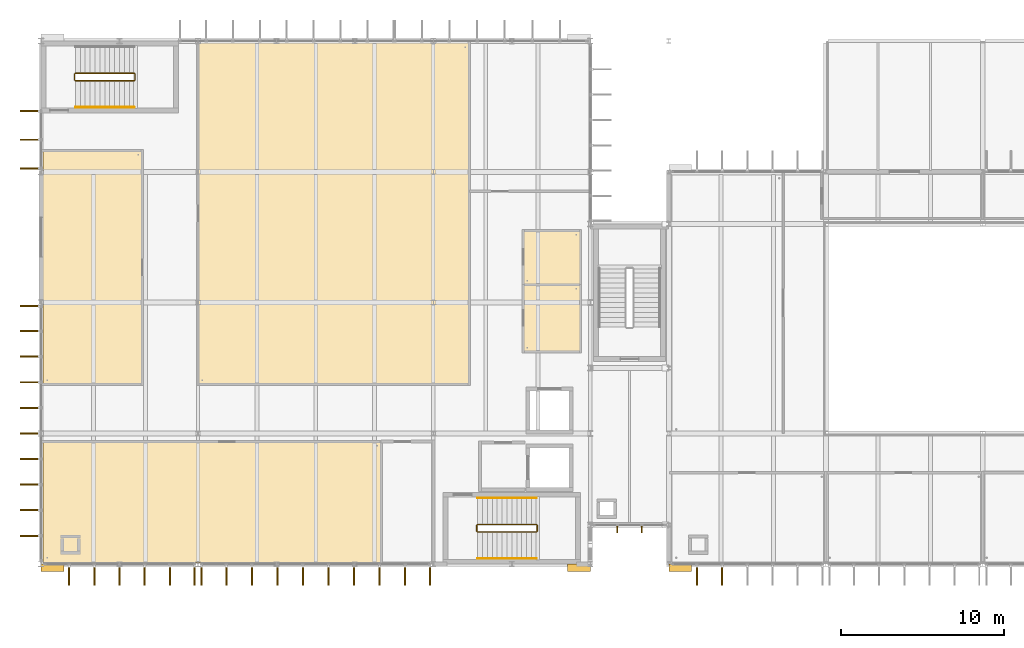
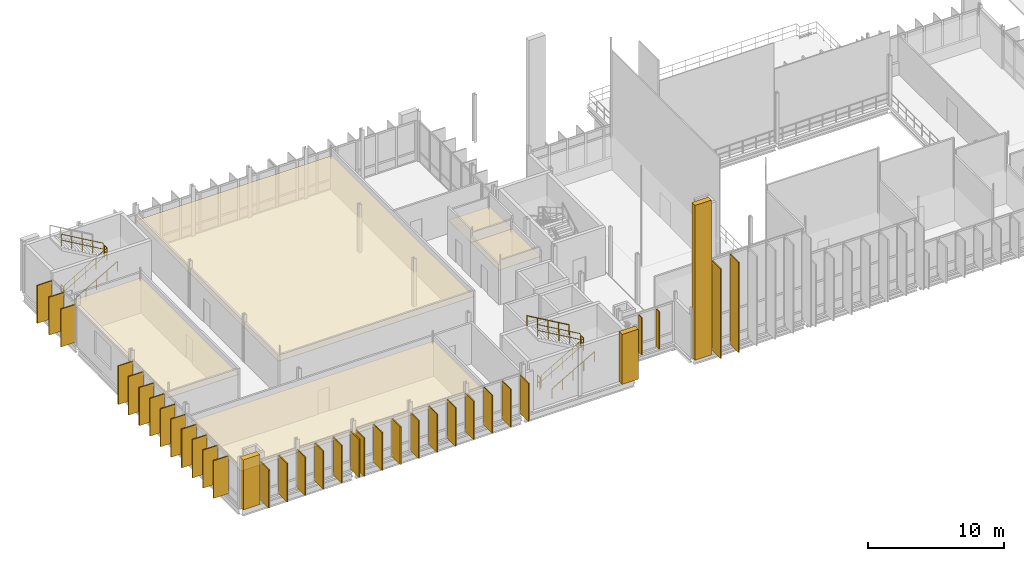
# One storey, part 38 of 41: 39 coverings, 11 railings, 2 shading devices.
"""IFC4 building model written with IfcOpenShell, lengths in metres."""

from ifc_helpers import new_model, si_unit, direction, frame, origin, origin_2d, place, context, subcontext, project, spatial, polyline, rectangle, circle, outline, extrude, material, layer, layer_set, type_object, element, save


model = new_model("IFC4")

# Units and contexts
model_context = context("Model", 3, precision=1e-05, world=origin(), true_north=direction((0.0, 1.0)))
body_context = subcontext(model_context, "Body", "Model", "MODEL_VIEW")
ifc_project = project(units=[si_unit("LENGTHUNIT", "METRE"), si_unit("AREAUNIT", "SQUARE_METRE"), si_unit("VOLUMEUNIT", "CUBIC_METRE"), si_unit("PLANEANGLEUNIT", "RADIAN"), si_unit("MASSUNIT", "GRAM", prefix="KILO")], contexts=[model_context])

# Site, building, storey
site_placement = place(None, origin())
site = spatial("IfcSite", under=ifc_project, at=site_placement, CompositionType="ELEMENT")
building_placement = place(site_placement, origin())
building = spatial("IfcBuilding", under=site, at=building_placement, Name="Dunescarp Central Library", CompositionType="ELEMENT")
storey_placement = place(building_placement, frame((0.0, 0.0, 23.10009765625)))
storey = spatial("IfcBuildingStorey", under=building, at=storey_placement, Name="L05", CompositionType="ELEMENT", Elevation=23.10009765625)

# Coverings
ifc_material_1 = material(Name="Perforated birch acoustic timber baffle", Category="wood")
ifc_layer_1 = layer(ifc_material_1, 0.050048828125)
ifc_layer_set_1 = layer_set([ifc_layer_1], Name="Perforated birch acoustic timber baffle")
covering_type_1 = type_object("IfcCoveringType", Name="ARC-COV-BAFFLE", PredefinedType="CEILING", material=ifc_layer_set_1)
covering_1_placement = place(storey_placement, frame((0.0, 0.0, 3.0498046875)))
element("IfcCovering", 1, at=covering_1_placement, inside=storey, type_object=covering_type_1, Name="L05 ceiling Postgraduate Quiet Reading Room", PredefinedType="CEILING", context=body_context, shape_type="SweptSolid", body=[
    extrude(outline(polyline([(0.1201171875, 4.919921875), (20.820068359375, 4.919921875), (20.820068359375, 12.320068359375), (0.1201171875, 12.320068359375), (0.1201171875, 4.919921875)])), origin(), (0.0, 0.0, 1.0), 0.050048828125),
])
ifc_material_2 = material(Name="Mineral-fibre acoustic ceiling tile")
ifc_layer_2 = layer(ifc_material_2, 0.0400390625)
ifc_layer_set_2 = layer_set([ifc_layer_2], Name="Mineral-fibre acoustic ceiling tile")
covering_type_2 = type_object("IfcCoveringType", Name="ARC-COV-CEIL40", PredefinedType="CEILING", material=ifc_layer_set_2)
covering_2_placement = place(storey_placement, frame((0.0, 0.0, 3.0498046875)))
element("IfcCovering", 2, at=covering_2_placement, inside=storey, type_object=covering_type_2, Name="L05 ceiling Public Toilets", PredefinedType="CEILING", context=body_context, shape_type="SweptSolid", body=[
    extrude(outline(polyline([(29.47998046875, 17.780029296875), (33.02001953125, 17.780029296875), (33.02001953125, 21.919921875), (29.47998046875, 21.919921875), (29.47998046875, 17.780029296875)])), origin(), (0.0, 0.0, 1.0), 0.0400390625),
])
covering_3_placement = place(storey_placement, frame((0.0, 0.0, 3.0498046875)))
element("IfcCovering", 3, at=covering_3_placement, inside=storey, type_object=covering_type_2, Name="L05 ceiling Accessible Toilet", PredefinedType="CEILING", context=body_context, shape_type="SweptSolid", body=[
    extrude(outline(polyline([(29.47998046875, 21.8798828125), (33.02001953125, 21.8798828125), (33.02001953125, 25.219970703125), (29.47998046875, 25.219970703125), (29.47998046875, 21.8798828125)])), origin(), (0.0, 0.0, 1.0), 0.0400390625),
])
covering_4_placement = place(storey_placement, frame((0.0, 0.0, 3.0498046875)))
element("IfcCovering", 4, at=covering_4_placement, inside=storey, type_object=covering_type_2, Name="L05 ceiling Special Collections Seminar", PredefinedType="CEILING", context=body_context, shape_type="SweptSolid", body=[
    extrude(outline(polyline([(0.1201171875, 15.780029296875), (6.219970703125, 15.780029296875), (6.219970703125, 30.1201171875), (0.1201171875, 30.1201171875), (0.1201171875, 15.780029296875)])), origin(), (0.0, 0.0, 1.0), 0.0400390625),
])
covering_5_placement = place(storey_placement, frame((0.0, 0.0, 3.0498046875)))
element("IfcCovering", 5, at=covering_5_placement, inside=storey, type_object=covering_type_2, Name="L05 ceiling Senior Librarian Administration", PredefinedType="CEILING", context=body_context, shape_type="SweptSolid", body=[
    extrude(outline(polyline([(9.580078125, 15.780029296875), (26.219970703125, 15.780029296875), (26.219970703125, 36.679931640625), (9.580078125, 36.679931640625), (9.580078125, 15.780029296875)])), origin(), (0.0, 0.0, 1.0), 0.0400390625),
])
ifc_material_3 = material(Name="Glass-fibre reinforced concrete GRC", Category="concrete")
ifc_layer_3 = layer(ifc_material_3, 0.090087890625)
ifc_layer_set_3 = layer_set([ifc_layer_3], Name="Glass-fibre reinforced concrete GRC")
covering_type_3 = type_object("IfcCoveringType", Name="ARC-COV-FIN1250", PredefinedType="CLADDING", material=ifc_layer_set_3)
covering_6_placement = place(storey_placement, frame((9.385009765625, 4.137939453125, 0.1669921875), z_axis=(0.0, 0.0, 1.0), x_axis=(0.0, -1.0, 0.0)))
element("IfcCovering", 6, at=covering_6_placement, inside=storey, type_object=covering_type_3, Name="L05 parametric vertical facade fin FIN-L05-0215", PredefinedType="CLADDING", context=body_context, shape_type="SweptSolid", body=[
    extrude(rectangle(XDim=1.25, YDim=0.090087890625, at=origin_2d()), origin(), (0.0, 0.0, 1.0), 3.406005859375),
])
covering_7_placement = place(storey_placement, frame((7.883056640625, 4.137939453125, 0.180419921875), z_axis=(0.0, 0.0, 1.0), x_axis=(0.0, -1.0, 0.0)))
element("IfcCovering", 7, at=covering_7_placement, inside=storey, type_object=covering_type_3, Name="L05 parametric vertical facade fin FIN-L05-0216", PredefinedType="CLADDING", context=body_context, shape_type="SweptSolid", body=[
    extrude(rectangle(XDim=1.25, YDim=0.090087890625, at=origin_2d()), origin(), (0.0, 0.0, 1.0), 3.39306640625),
])
covering_8_placement = place(storey_placement, frame((6.342041015625, 4.137939453125, 0.16357421875), z_axis=(0.0, 0.0, 1.0), x_axis=(0.0, -1.0, 0.0)))
element("IfcCovering", 8, at=covering_8_placement, inside=storey, type_object=covering_type_3, Name="L05 parametric vertical facade fin FIN-L05-0217", PredefinedType="CLADDING", context=body_context, shape_type="SweptSolid", body=[
    extrude(rectangle(XDim=1.25, YDim=0.090087890625, at=origin_2d()), origin(), (0.0, 0.0, 1.0), 3.408935546875),
])
covering_9_placement = place(storey_placement, frame((4.800048828125, 4.137939453125, 0.123046875), z_axis=(0.0, 0.0, 1.0), x_axis=(0.0, -1.0, 0.0)))
element("IfcCovering", 9, at=covering_9_placement, inside=storey, type_object=covering_type_3, Name="L05 parametric vertical facade fin FIN-L05-0218", PredefinedType="CLADDING", context=body_context, shape_type="SweptSolid", body=[
    extrude(rectangle(XDim=1.25, YDim=0.090087890625, at=origin_2d()), origin(), (0.0, 0.0, 1.0), 3.449951171875),
])
covering_10_placement = place(storey_placement, frame((3.258056640625, 4.137939453125, 0.079833984375), z_axis=(0.0, 0.0, 1.0), x_axis=(0.0, -1.0, 0.0)))
element("IfcCovering", 10, at=covering_10_placement, inside=storey, type_object=covering_type_3, Name="L05 parametric vertical facade fin FIN-L05-0219", PredefinedType="CLADDING", context=body_context, shape_type="SweptSolid", body=[
    extrude(rectangle(XDim=1.25, YDim=0.090087890625, at=origin_2d()), origin(), (0.0, 0.0, 1.0), 3.48193359375),
])
covering_11_placement = place(storey_placement, frame((1.717041015625, 4.137939453125, 0.080078125), z_axis=(0.0, 0.0, 1.0), x_axis=(0.0, -1.0, 0.0)))
element("IfcCovering", 11, at=covering_11_placement, inside=storey, type_object=covering_type_3, Name="L05 parametric vertical facade fin FIN-L05-0220", PredefinedType="CLADDING", context=body_context, shape_type="SweptSolid", body=[
    extrude(rectangle(XDim=1.25, YDim=0.090087890625, at=origin_2d()), origin(), (0.0, 0.0, 1.0), 3.431884765625),
])
covering_12_placement = place(storey_placement, frame((23.784912109375, 4.137939453125, 0.1669921875), z_axis=(0.0, 0.0, 1.0), x_axis=(0.0, -1.0, 0.0)))
element("IfcCovering", 12, at=covering_12_placement, inside=storey, type_object=covering_type_3, Name="L05 parametric vertical facade fin FIN-L05-0221", PredefinedType="CLADDING", context=body_context, shape_type="SweptSolid", body=[
    extrude(rectangle(XDim=1.25, YDim=0.090087890625, at=origin_2d()), origin(), (0.0, 0.0, 1.0), 3.406005859375),
])
covering_13_placement = place(storey_placement, frame((22.263916015625, 4.137939453125, 0.180419921875), z_axis=(0.0, 0.0, 1.0), x_axis=(0.0, -1.0, 0.0)))
element("IfcCovering", 13, at=covering_13_placement, inside=storey, type_object=covering_type_3, Name="L05 parametric vertical facade fin FIN-L05-0222", PredefinedType="CLADDING", context=body_context, shape_type="SweptSolid", body=[
    extrude(rectangle(XDim=1.25, YDim=0.090087890625, at=origin_2d()), origin(), (0.0, 0.0, 1.0), 3.39306640625),
])
covering_14_placement = place(storey_placement, frame((20.702880859375, 4.137939453125, 0.16357421875), z_axis=(0.0, 0.0, 1.0), x_axis=(0.0, -1.0, 0.0)))
element("IfcCovering", 14, at=covering_14_placement, inside=storey, type_object=covering_type_3, Name="L05 parametric vertical facade fin FIN-L05-0223", PredefinedType="CLADDING", context=body_context, shape_type="SweptSolid", body=[
    extrude(rectangle(XDim=1.25, YDim=0.090087890625, at=origin_2d()), origin(), (0.0, 0.0, 1.0), 3.408935546875),
])
covering_15_placement = place(storey_placement, frame((19.14208984375, 4.137939453125, 0.123046875), z_axis=(0.0, 0.0, 1.0), x_axis=(0.0, -1.0, 0.0)))
element("IfcCovering", 15, at=covering_15_placement, inside=storey, type_object=covering_type_3, Name="L05 parametric vertical facade fin FIN-L05-0224", PredefinedType="CLADDING", context=body_context, shape_type="SweptSolid", body=[
    extrude(rectangle(XDim=1.25, YDim=0.090087890625, at=origin_2d()), origin(), (0.0, 0.0, 1.0), 3.449951171875),
])
covering_16_placement = place(storey_placement, frame((17.5810546875, 4.137939453125, 0.079833984375), z_axis=(0.0, 0.0, 1.0), x_axis=(0.0, -1.0, 0.0)))
element("IfcCovering", 16, at=covering_16_placement, inside=storey, type_object=covering_type_3, Name="L05 parametric vertical facade fin FIN-L05-0225", PredefinedType="CLADDING", context=body_context, shape_type="SweptSolid", body=[
    extrude(rectangle(XDim=1.25, YDim=0.090087890625, at=origin_2d()), origin(), (0.0, 0.0, 1.0), 3.48193359375),
])
covering_17_placement = place(storey_placement, frame((16.01904296875, 4.137939453125, 0.080078125), z_axis=(0.0, 0.0, 1.0), x_axis=(0.0, -1.0, 0.0)))
element("IfcCovering", 17, at=covering_17_placement, inside=storey, type_object=covering_type_3, Name="L05 parametric vertical facade fin FIN-L05-0226", PredefinedType="CLADDING", context=body_context, shape_type="SweptSolid", body=[
    extrude(rectangle(XDim=1.25, YDim=0.090087890625, at=origin_2d()), origin(), (0.0, 0.0, 1.0), 3.431884765625),
])
covering_18_placement = place(storey_placement, frame((14.4580078125, 4.137939453125, 0.080322265625), z_axis=(0.0, 0.0, 1.0), x_axis=(0.0, -1.0, 0.0)))
element("IfcCovering", 18, at=covering_18_placement, inside=storey, type_object=covering_type_3, Name="L05 parametric vertical facade fin FIN-L05-0227", PredefinedType="CLADDING", context=body_context, shape_type="SweptSolid", body=[
    extrude(rectangle(XDim=1.25, YDim=0.090087890625, at=origin_2d()), origin(), (0.0, 0.0, 1.0), 3.39892578125),
])
covering_19_placement = place(storey_placement, frame((12.89697265625, 4.137939453125, 0.079345703125), z_axis=(0.0, 0.0, 1.0), x_axis=(0.0, -1.0, 0.0)))
element("IfcCovering", 19, at=covering_19_placement, inside=storey, type_object=covering_type_3, Name="L05 parametric vertical facade fin FIN-L05-0228", PredefinedType="CLADDING", context=body_context, shape_type="SweptSolid", body=[
    extrude(rectangle(XDim=1.25, YDim=0.090087890625, at=origin_2d()), origin(), (0.0, 0.0, 1.0), 3.39501953125),
])
covering_20_placement = place(storey_placement, frame((11.3359375, 4.137939453125, 0.079345703125), z_axis=(0.0, 0.0, 1.0), x_axis=(0.0, -1.0, 0.0)))
element("IfcCovering", 20, at=covering_20_placement, inside=storey, type_object=covering_type_3, Name="L05 parametric vertical facade fin FIN-L05-0229", PredefinedType="CLADDING", context=body_context, shape_type="SweptSolid", body=[
    extrude(rectangle(XDim=1.25, YDim=0.090087890625, at=origin_2d()), origin(), (0.0, 0.0, 1.0), 3.4189453125),
])
covering_21_placement = place(storey_placement, frame((9.81494140625, 4.137939453125, 0.08056640625), z_axis=(0.0, 0.0, 1.0), x_axis=(0.0, -1.0, 0.0)))
element("IfcCovering", 21, at=covering_21_placement, inside=storey, type_object=covering_type_3, Name="L05 parametric vertical facade fin FIN-L05-0230", PredefinedType="CLADDING", context=body_context, shape_type="SweptSolid", body=[
    extrude(rectangle(XDim=1.25, YDim=0.090087890625, at=origin_2d()), origin(), (0.0, 0.0, 1.0), 3.465087890625),
])
covering_22_placement = place(storey_placement, frame((-0.662109375, 6.5400390625, 0.180419921875), z_axis=(0.0, 0.0, 1.0), x_axis=(-1.0, 0.0, 0.0)))
element("IfcCovering", 22, at=covering_22_placement, inside=storey, type_object=covering_type_3, Name="L05 parametric vertical facade fin FIN-L05-0247", PredefinedType="CLADDING", context=body_context, shape_type="SweptSolid", body=[
    extrude(rectangle(XDim=1.25, YDim=0.090087890625, at=origin_2d()), origin(), (0.0, 0.0, 1.0), 3.39306640625),
])
covering_23_placement = place(storey_placement, frame((-0.662109375, 8.10498046875, 0.16357421875), z_axis=(0.0, 0.0, 1.0), x_axis=(-1.0, 0.0, 0.0)))
element("IfcCovering", 23, at=covering_23_placement, inside=storey, type_object=covering_type_3, Name="L05 parametric vertical facade fin FIN-L05-0248", PredefinedType="CLADDING", context=body_context, shape_type="SweptSolid", body=[
    extrude(rectangle(XDim=1.25, YDim=0.090087890625, at=origin_2d()), origin(), (0.0, 0.0, 1.0), 3.408935546875),
])
covering_24_placement = place(storey_placement, frame((-0.662109375, 9.669921875, 0.123046875), z_axis=(0.0, 0.0, 1.0), x_axis=(-1.0, 0.0, 0.0)))
element("IfcCovering", 24, at=covering_24_placement, inside=storey, type_object=covering_type_3, Name="L05 parametric vertical facade fin FIN-L05-0249", PredefinedType="CLADDING", context=body_context, shape_type="SweptSolid", body=[
    extrude(rectangle(XDim=1.25, YDim=0.090087890625, at=origin_2d()), origin(), (0.0, 0.0, 1.0), 3.449951171875),
])
covering_25_placement = place(storey_placement, frame((-0.662109375, 11.235107421875, 0.079833984375), z_axis=(0.0, 0.0, 1.0), x_axis=(-1.0, 0.0, 0.0)))
element("IfcCovering", 25, at=covering_25_placement, inside=storey, type_object=covering_type_3, Name="L05 parametric vertical facade fin FIN-L05-0250", PredefinedType="CLADDING", context=body_context, shape_type="SweptSolid", body=[
    extrude(rectangle(XDim=1.25, YDim=0.090087890625, at=origin_2d()), origin(), (0.0, 0.0, 1.0), 3.48193359375),
])
covering_26_placement = place(storey_placement, frame((-0.662109375, 12.800048828125, 0.080078125), z_axis=(0.0, 0.0, 1.0), x_axis=(-1.0, 0.0, 0.0)))
element("IfcCovering", 26, at=covering_26_placement, inside=storey, type_object=covering_type_3, Name="L05 parametric vertical facade fin FIN-L05-0251", PredefinedType="CLADDING", context=body_context, shape_type="SweptSolid", body=[
    extrude(rectangle(XDim=1.25, YDim=0.090087890625, at=origin_2d()), origin(), (0.0, 0.0, 1.0), 3.431884765625),
])
covering_27_placement = place(storey_placement, frame((-0.662109375, 14.364990234375, 0.080322265625), z_axis=(0.0, 0.0, 1.0), x_axis=(-1.0, 0.0, 0.0)))
element("IfcCovering", 27, at=covering_27_placement, inside=storey, type_object=covering_type_3, Name="L05 parametric vertical facade fin FIN-L05-0252", PredefinedType="CLADDING", context=body_context, shape_type="SweptSolid", body=[
    extrude(rectangle(XDim=1.25, YDim=0.090087890625, at=origin_2d()), origin(), (0.0, 0.0, 1.0), 3.39892578125),
])
covering_28_placement = place(storey_placement, frame((-0.662109375, 15.929931640625, 0.079345703125), z_axis=(0.0, 0.0, 1.0), x_axis=(-1.0, 0.0, 0.0)))
element("IfcCovering", 28, at=covering_28_placement, inside=storey, type_object=covering_type_3, Name="L05 parametric vertical facade fin FIN-L05-0253", PredefinedType="CLADDING", context=body_context, shape_type="SweptSolid", body=[
    extrude(rectangle(XDim=1.25, YDim=0.090087890625, at=origin_2d()), origin(), (0.0, 0.0, 1.0), 3.39501953125),
])
covering_29_placement = place(storey_placement, frame((-0.662109375, 17.4951171875, 0.079345703125), z_axis=(0.0, 0.0, 1.0), x_axis=(-1.0, 0.0, 0.0)))
element("IfcCovering", 29, at=covering_29_placement, inside=storey, type_object=covering_type_3, Name="L05 parametric vertical facade fin FIN-L05-0254", PredefinedType="CLADDING", context=body_context, shape_type="SweptSolid", body=[
    extrude(rectangle(XDim=1.25, YDim=0.090087890625, at=origin_2d()), origin(), (0.0, 0.0, 1.0), 3.4189453125),
])
covering_30_placement = place(storey_placement, frame((-0.662109375, 19.06005859375, 0.08056640625), z_axis=(0.0, 0.0, 1.0), x_axis=(-1.0, 0.0, 0.0)))
element("IfcCovering", 30, at=covering_30_placement, inside=storey, type_object=covering_type_3, Name="L05 parametric vertical facade fin FIN-L05-0255", PredefinedType="CLADDING", context=body_context, shape_type="SweptSolid", body=[
    extrude(rectangle(XDim=1.25, YDim=0.090087890625, at=origin_2d()), origin(), (0.0, 0.0, 1.0), 3.465087890625),
])
covering_31_placement = place(storey_placement, frame((-0.662109375, 20.5849609375, 0.10546875), z_axis=(0.0, 0.0, 1.0), x_axis=(-1.0, 0.0, 0.0)))
element("IfcCovering", 31, at=covering_31_placement, inside=storey, type_object=covering_type_3, Name="L05 parametric vertical facade fin FIN-L05-0256", PredefinedType="CLADDING", context=body_context, shape_type="SweptSolid", body=[
    extrude(rectangle(XDim=1.25, YDim=0.090087890625, at=origin_2d()), origin(), (0.0, 0.0, 1.0), 3.467041015625),
])
covering_32_placement = place(storey_placement, frame((-0.662109375, 29.014892578125, 0.1669921875), z_axis=(0.0, 0.0, 1.0), x_axis=(-1.0, 0.0, 0.0)))
element("IfcCovering", 32, at=covering_32_placement, inside=storey, type_object=covering_type_3, Name="L05 parametric vertical facade fin FIN-L05-0257", PredefinedType="CLADDING", context=body_context, shape_type="SweptSolid", body=[
    extrude(rectangle(XDim=1.25, YDim=0.090087890625, at=origin_2d()), origin(), (0.0, 0.0, 1.0), 3.406005859375),
])
covering_33_placement = place(storey_placement, frame((-0.662109375, 30.761962890625, 0.180419921875), z_axis=(0.0, 0.0, 1.0), x_axis=(-1.0, 0.0, 0.0)))
element("IfcCovering", 33, at=covering_33_placement, inside=storey, type_object=covering_type_3, Name="L05 parametric vertical facade fin FIN-L05-0258", PredefinedType="CLADDING", context=body_context, shape_type="SweptSolid", body=[
    extrude(rectangle(XDim=1.25, YDim=0.090087890625, at=origin_2d()), origin(), (0.0, 0.0, 1.0), 3.39306640625),
])
covering_34_placement = place(storey_placement, frame((-0.662109375, 32.510009765625, 0.16357421875), z_axis=(0.0, 0.0, 1.0), x_axis=(-1.0, 0.0, 0.0)))
element("IfcCovering", 34, at=covering_34_placement, inside=storey, type_object=covering_type_3, Name="L05 parametric vertical facade fin FIN-L05-0259", PredefinedType="CLADDING", context=body_context, shape_type="SweptSolid", body=[
    extrude(rectangle(XDim=1.25, YDim=0.090087890625, at=origin_2d()), origin(), (0.0, 0.0, 1.0), 3.408935546875),
])
covering_35_placement = place(storey_placement, frame((41.657958984375, 4.137939453125, 0.079833984375), z_axis=(0.0, 0.0, 1.0), x_axis=(0.0, -1.0, 0.0)))
element("IfcCovering", 35, at=covering_35_placement, inside=storey, type_object=covering_type_3, Name="L05 parametric vertical facade fin FIN-L05-0514", PredefinedType="CLADDING", context=body_context, shape_type="SweptSolid", body=[
    extrude(rectangle(XDim=1.25, YDim=0.090087890625, at=origin_2d()), origin(), (0.0, 0.0, 1.0), 8.10205078125),
])
covering_36_placement = place(storey_placement, frame((40.116943359375, 4.137939453125, 0.080078125), z_axis=(0.0, 0.0, 1.0), x_axis=(0.0, -1.0, 0.0)))
element("IfcCovering", 36, at=covering_36_placement, inside=storey, type_object=covering_type_3, Name="L05 parametric vertical facade fin FIN-L05-0515", PredefinedType="CLADDING", context=body_context, shape_type="SweptSolid", body=[
    extrude(rectangle(XDim=1.25, YDim=0.090087890625, at=origin_2d()), origin(), (0.0, 0.0, 1.0), 8.052001953125),
])
ifc_layer_4 = layer(ifc_material_3, 0.449951171875)
ifc_layer_set_4 = layer_set([ifc_layer_4], Name="Glass-fibre reinforced concrete GRC")
covering_type_4 = type_object("IfcCoveringType", Name="ARC-COV-PORTAL", PredefinedType="CLADDING", material=ifc_layer_set_4)
covering_37_placement = place(storey_placement, frame((39.10009765625, 4.580078125, -0.00048828125), z_axis=(0.0, 0.0, 1.0), x_axis=(1.0, 0.0, 0.0)))
element("IfcCovering", 37, at=covering_37_placement, inside=storey, type_object=covering_type_4, Name="V2 sculpted GRC portal pier PRT-BAND-V2-021", PredefinedType="CLADDING", context=body_context, shape_type="SweptSolid", body=[
    extrude(rectangle(XDim=1.39990234375, YDim=0.449951171875, at=origin_2d()), origin(), (0.0, 0.0, 1.0), 13.925048828125),
])
for number, where, z_axis, x_axis, name in (
    (38, (0.699951171875, 4.580078125, 0.0), (0.0, 0.0, 1.0), (1.0, 0.0, 0.0), "V1 sculpted GRC portal pier PRT-BAND-V1-101"),
    (39, (32.89990234375, 4.580078125, 0.0), (0.0, 0.0, 1.0), (1.0, 0.0, 0.0), "V1 sculpted GRC portal pier PRT-BAND-V1-103"),
):
    element("IfcCovering", number, at=place(storey_placement, frame(where, z_axis=z_axis, x_axis=x_axis)), inside=storey, type_object=covering_type_4, Name=name, PredefinedType="CLADDING", context=body_context, shape_type="SweptSolid", body=[
        extrude(rectangle(XDim=1.39990234375, YDim=0.449951171875, at=origin_2d()), origin(), (0.0, 0.0, 1.0), 4.5),
    ])

# Railings
ifc_material_4 = material(Name="Stainless steel Grade 316L", Category="steel")
railing_type_1 = type_object("IfcRailingType", Name="ARC-RL-GUARD", PredefinedType="GUARDRAIL", material=ifc_material_4)
railing_1_placement = place(storey_placement, frame((26.699951171875, 6.77001953125, 0.173095703125)))
element("IfcRailing", 40, at=railing_1_placement, inside=storey, type_object=railing_type_1, Name="L05 ST-1 stair guard 1", PredefinedType="GUARDRAIL", context=body_context, shape_type="SweptSolid", body=[
    extrude(circle(Radius=0.02392578125, at=origin_2d()), frame((0.0, 0.0, 1.076171875), z_axis=(0.866193409371, 0.0, 0.499708892819), x_axis=(0.0, 1.0, 0.0)), (0.0, 0.0, 1.0), 4.15625),
    extrude(circle(Radius=0.02392578125, at=origin_2d()), frame((0.0, 0.0, 0.550048828125), z_axis=(0.866193409371, 0.0, 0.499708892819), x_axis=(0.0, 1.0, 0.0)), (0.0, 0.0, 1.0), 4.15625),
    extrude(circle(Radius=0.02099609375, at=origin_2d()), origin(), (0.0, 0.0, 1.0), 1.052001953125),
    extrude(circle(Radius=0.02099609375, at=origin_2d()), frame((0.89990234375, 0.0, 0.519287109375)), (0.0, 0.0, 1.0), 1.052001953125),
    extrude(circle(Radius=0.02099609375, at=origin_2d()), frame((1.800048828125, 0.0, 1.03857421875)), (0.0, 0.0, 1.0), 1.052001953125),
    extrude(circle(Radius=0.02099609375, at=origin_2d()), frame((2.7001953125, 0.0, 1.5576171875)), (0.0, 0.0, 1.0), 1.052001953125),
    extrude(circle(Radius=0.02099609375, at=origin_2d()), frame((3.60009765625, 0.0, 2.076904296875)), (0.0, 0.0, 1.0), 1.052001953125),
])
railing_2_placement = place(storey_placement, frame((30.35009765625, 6.820068359375, 2.25)))
element("IfcRailing", 41, at=railing_2_placement, inside=storey, type_object=railing_type_1, Name="L05 ST-1 stair guard 2", PredefinedType="GUARDRAIL", context=body_context, shape_type="SweptSolid", body=[
    extrude(circle(Radius=0.02392578125, at=origin_2d()), frame((0.0, 0.0, 1.076171875), z_axis=(0.0, 1.0, 0.0), x_axis=(-1.0, 0.0, 0.0)), (0.0, 0.0, 1.0), 0.35986328125),
    extrude(circle(Radius=0.02392578125, at=origin_2d()), frame((0.0, 0.0, 0.550048828125), z_axis=(0.0, 1.0, 0.0), x_axis=(-1.0, 0.0, 0.0)), (0.0, 0.0, 1.0), 0.35986328125),
    extrude(circle(Radius=0.02099609375, at=origin_2d()), origin(), (0.0, 0.0, 1.0), 1.052001953125),
    extrude(circle(Radius=0.02099609375, at=origin_2d()), frame((0.0, 0.35986328125, 0.0)), (0.0, 0.0, 1.0), 1.052001953125),
])
railing_3_placement = place(storey_placement, frame((30.300048828125, 7.22998046875, 2.423095703125)))
element("IfcRailing", 42, at=railing_3_placement, inside=storey, type_object=railing_type_1, Name="L05 ST-1 stair guard 3", PredefinedType="GUARDRAIL", context=body_context, shape_type="SweptSolid", body=[
    extrude(circle(Radius=0.02392578125, at=origin_2d()), frame((0.0, 0.0, 1.076171875), z_axis=(-0.866193409371, 0.0, 0.499708892819), x_axis=(0.0, -1.0, 0.0)), (0.0, 0.0, 1.0), 4.15625),
    extrude(circle(Radius=0.02392578125, at=origin_2d()), frame((0.0, 0.0, 0.550048828125), z_axis=(-0.866193409371, 0.0, 0.499708892819), x_axis=(0.0, -1.0, 0.0)), (0.0, 0.0, 1.0), 4.15625),
    extrude(circle(Radius=0.02099609375, at=origin_2d()), origin(), (0.0, 0.0, 1.0), 1.052001953125),
    extrude(circle(Radius=0.02099609375, at=origin_2d()), frame((-0.89990234375, 0.0, 0.519287109375)), (0.0, 0.0, 1.0), 1.052001953125),
    extrude(circle(Radius=0.02099609375, at=origin_2d()), frame((-1.800048828125, 0.0, 1.03857421875)), (0.0, 0.0, 1.0), 1.052001953125),
    extrude(circle(Radius=0.02099609375, at=origin_2d()), frame((-2.7001953125, 0.0, 1.5576171875)), (0.0, 0.0, 1.0), 1.052001953125),
    extrude(circle(Radius=0.02099609375, at=origin_2d()), frame((-3.60009765625, 0.0, 2.076904296875)), (0.0, 0.0, 1.0), 1.052001953125),
])
railing_4_placement = place(storey_placement, frame((26.64990234375, 6.820068359375, 0.0)))
element("IfcRailing", 43, at=railing_4_placement, inside=storey, type_object=railing_type_1, Name="L05 ST-1 stair guard 4", PredefinedType="GUARDRAIL", context=body_context, shape_type="SweptSolid", body=[
    extrude(circle(Radius=0.02392578125, at=origin_2d()), frame((0.0, 0.0, 1.076171875), z_axis=(0.0, 1.0, 0.0), x_axis=(-1.0, 0.0, 0.0)), (0.0, 0.0, 1.0), 0.35986328125),
    extrude(circle(Radius=0.02392578125, at=origin_2d()), frame((0.0, 0.0, 0.550048828125), z_axis=(0.0, 1.0, 0.0), x_axis=(-1.0, 0.0, 0.0)), (0.0, 0.0, 1.0), 0.35986328125),
    extrude(circle(Radius=0.02099609375, at=origin_2d()), origin(), (0.0, 0.0, 1.0), 1.052001953125),
    extrude(circle(Radius=0.02099609375, at=origin_2d()), frame((0.0, 0.35986328125, 0.0)), (0.0, 0.0, 1.0), 1.052001953125),
])
railing_5_placement = place(storey_placement, frame((2.10009765625, 34.3701171875, 0.173095703125)))
element("IfcRailing", 44, at=railing_5_placement, inside=storey, type_object=railing_type_1, Name="L05 ST-6 stair guard 1", PredefinedType="GUARDRAIL", context=body_context, shape_type="SweptSolid", body=[
    extrude(circle(Radius=0.02392578125, at=origin_2d()), frame((0.0, 0.0, 1.076171875), z_axis=(0.866178740119, 0.0, 0.499734319579), x_axis=(0.0, 1.0, 0.0)), (0.0, 0.0, 1.0), 4.156005859375),
    extrude(circle(Radius=0.02392578125, at=origin_2d()), frame((0.0, 0.0, 0.550048828125), z_axis=(0.866178740119, 0.0, 0.499734319579), x_axis=(0.0, 1.0, 0.0)), (0.0, 0.0, 1.0), 4.156005859375),
    extrude(circle(Radius=0.02099609375, at=origin_2d()), origin(), (0.0, 0.0, 1.0), 1.052001953125),
    extrude(circle(Radius=0.02099609375, at=origin_2d()), frame((0.89990234375, 0.0, 0.519287109375)), (0.0, 0.0, 1.0), 1.052001953125),
    extrude(circle(Radius=0.02099609375, at=origin_2d()), frame((1.7998046875, 0.0, 1.03857421875)), (0.0, 0.0, 1.0), 1.052001953125),
    extrude(circle(Radius=0.02099609375, at=origin_2d()), frame((2.699951171875, 0.0, 1.5576171875)), (0.0, 0.0, 1.0), 1.052001953125),
    extrude(circle(Radius=0.02099609375, at=origin_2d()), frame((3.599853515625, 0.0, 2.076904296875)), (0.0, 0.0, 1.0), 1.052001953125),
])
railing_6_placement = place(storey_placement, frame((5.75, 34.419921875, 2.25)))
element("IfcRailing", 45, at=railing_6_placement, inside=storey, type_object=railing_type_1, Name="L05 ST-6 stair guard 2", PredefinedType="GUARDRAIL", context=body_context, shape_type="SweptSolid", body=[
    extrude(circle(Radius=0.02392578125, at=origin_2d()), frame((0.0, 0.0, 1.076171875), z_axis=(0.0, 1.0, 0.0), x_axis=(-1.0, 0.0, 0.0)), (0.0, 0.0, 1.0), 0.360107421875),
    extrude(circle(Radius=0.02392578125, at=origin_2d()), frame((0.0, 0.0, 0.550048828125), z_axis=(0.0, 1.0, 0.0), x_axis=(-1.0, 0.0, 0.0)), (0.0, 0.0, 1.0), 0.360107421875),
    extrude(circle(Radius=0.02099609375, at=origin_2d()), origin(), (0.0, 0.0, 1.0), 1.052001953125),
    extrude(circle(Radius=0.02099609375, at=origin_2d()), frame((0.0, 0.360107421875, 0.0)), (0.0, 0.0, 1.0), 1.052001953125),
])
railing_7_placement = place(storey_placement, frame((5.699951171875, 34.830078125, 2.423095703125)))
element("IfcRailing", 46, at=railing_7_placement, inside=storey, type_object=railing_type_1, Name="L05 ST-6 stair guard 3", PredefinedType="GUARDRAIL", context=body_context, shape_type="SweptSolid", body=[
    extrude(circle(Radius=0.02392578125, at=origin_2d()), frame((0.0, 0.0, 1.076171875), z_axis=(-0.866178740119, 0.0, 0.499734319579), x_axis=(0.0, -1.0, 0.0)), (0.0, 0.0, 1.0), 4.156005859375),
    extrude(circle(Radius=0.02392578125, at=origin_2d()), frame((0.0, 0.0, 0.550048828125), z_axis=(-0.866178740119, 0.0, 0.499734319579), x_axis=(0.0, -1.0, 0.0)), (0.0, 0.0, 1.0), 4.156005859375),
    extrude(circle(Radius=0.02099609375, at=origin_2d()), origin(), (0.0, 0.0, 1.0), 1.052001953125),
    extrude(circle(Radius=0.02099609375, at=origin_2d()), frame((-0.89990234375, 0.0, 0.519287109375)), (0.0, 0.0, 1.0), 1.052001953125),
    extrude(circle(Radius=0.02099609375, at=origin_2d()), frame((-1.7998046875, 0.0, 1.03857421875)), (0.0, 0.0, 1.0), 1.052001953125),
    extrude(circle(Radius=0.02099609375, at=origin_2d()), frame((-2.699951171875, 0.0, 1.5576171875)), (0.0, 0.0, 1.0), 1.052001953125),
    extrude(circle(Radius=0.02099609375, at=origin_2d()), frame((-3.599853515625, 0.0, 2.076904296875)), (0.0, 0.0, 1.0), 1.052001953125),
])
railing_8_placement = place(storey_placement, frame((2.050048828125, 34.419921875, 0.0)))
element("IfcRailing", 47, at=railing_8_placement, inside=storey, type_object=railing_type_1, Name="L05 ST-6 stair guard 4", PredefinedType="GUARDRAIL", context=body_context, shape_type="SweptSolid", body=[
    extrude(circle(Radius=0.02392578125, at=origin_2d()), frame((0.0, 0.0, 1.076171875), z_axis=(0.0, 1.0, 0.0), x_axis=(-1.0, 0.0, 0.0)), (0.0, 0.0, 1.0), 0.360107421875),
    extrude(circle(Radius=0.02392578125, at=origin_2d()), frame((0.0, 0.0, 0.550048828125), z_axis=(0.0, 1.0, 0.0), x_axis=(-1.0, 0.0, 0.0)), (0.0, 0.0, 1.0), 0.360107421875),
    extrude(circle(Radius=0.02099609375, at=origin_2d()), origin(), (0.0, 0.0, 1.0), 1.052001953125),
    extrude(circle(Radius=0.02099609375, at=origin_2d()), frame((0.0, 0.360107421875, 0.0)), (0.0, 0.0, 1.0), 1.052001953125),
])
railing_type_2 = type_object("IfcRailingType", Name="ARC-RL-HAND", PredefinedType="HANDRAIL", material=ifc_material_4)
railing_9_placement = place(storey_placement, frame((26.699951171875, 5.14990234375, 0.173095703125)))
element("IfcRailing", 48, at=railing_9_placement, inside=storey, type_object=railing_type_2, Name="L05 ST-1 stair handrail 1", PredefinedType="HANDRAIL", context=body_context, shape_type="SweptSolid", body=[
    extrude(circle(Radius=0.02392578125, at=origin_2d()), frame((0.0, 0.0, 0.8857421875), z_axis=(0.866193409371, 0.0, 0.499708892819), x_axis=(0.0, 1.0, 0.0)), (0.0, 0.0, 1.0), 4.15625),
    extrude(circle(Radius=0.02099609375, at=origin_2d()), origin(), (0.0, 0.0, 1.0), 0.86181640625),
    extrude(circle(Radius=0.02099609375, at=origin_2d()), frame((0.89990234375, 0.0, 0.519287109375)), (0.0, 0.0, 1.0), 0.86181640625),
    extrude(circle(Radius=0.02099609375, at=origin_2d()), frame((1.800048828125, 0.0, 1.03857421875)), (0.0, 0.0, 1.0), 0.86181640625),
    extrude(circle(Radius=0.02099609375, at=origin_2d()), frame((2.7001953125, 0.0, 1.5576171875)), (0.0, 0.0, 1.0), 0.86181640625),
    extrude(circle(Radius=0.02099609375, at=origin_2d()), frame((3.60009765625, 0.0, 2.076904296875)), (0.0, 0.0, 1.0), 0.86181640625),
])
railing_10_placement = place(storey_placement, frame((30.300048828125, 8.85009765625, 2.423095703125)))
element("IfcRailing", 49, at=railing_10_placement, inside=storey, type_object=railing_type_2, Name="L05 ST-1 stair handrail 2", PredefinedType="HANDRAIL", context=body_context, shape_type="SweptSolid", body=[
    extrude(circle(Radius=0.02392578125, at=origin_2d()), frame((0.0, 0.0, 0.8857421875), z_axis=(-0.866193409371, 0.0, 0.499708892819), x_axis=(0.0, -1.0, 0.0)), (0.0, 0.0, 1.0), 4.15625),
    extrude(circle(Radius=0.02099609375, at=origin_2d()), origin(), (0.0, 0.0, 1.0), 0.86181640625),
    extrude(circle(Radius=0.02099609375, at=origin_2d()), frame((-0.89990234375, 0.0, 0.519287109375)), (0.0, 0.0, 1.0), 0.86181640625),
    extrude(circle(Radius=0.02099609375, at=origin_2d()), frame((-1.800048828125, 0.0, 1.03857421875)), (0.0, 0.0, 1.0), 0.86181640625),
    extrude(circle(Radius=0.02099609375, at=origin_2d()), frame((-2.7001953125, 0.0, 1.5576171875)), (0.0, 0.0, 1.0), 0.86181640625),
    extrude(circle(Radius=0.02099609375, at=origin_2d()), frame((-3.60009765625, 0.0, 2.076904296875)), (0.0, 0.0, 1.0), 0.86181640625),
])
railing_11_placement = place(storey_placement, frame((2.10009765625, 32.75, 0.173095703125)))
element("IfcRailing", 50, at=railing_11_placement, inside=storey, type_object=railing_type_2, Name="L05 ST-6 stair handrail 1", PredefinedType="HANDRAIL", context=body_context, shape_type="SweptSolid", body=[
    extrude(circle(Radius=0.02392578125, at=origin_2d()), frame((0.0, 0.0, 0.8857421875), z_axis=(0.866178740119, 0.0, 0.499734319579), x_axis=(0.0, 1.0, 0.0)), (0.0, 0.0, 1.0), 4.156005859375),
    extrude(circle(Radius=0.02099609375, at=origin_2d()), origin(), (0.0, 0.0, 1.0), 0.86181640625),
    extrude(circle(Radius=0.02099609375, at=origin_2d()), frame((0.89990234375, 0.0, 0.519287109375)), (0.0, 0.0, 1.0), 0.86181640625),
    extrude(circle(Radius=0.02099609375, at=origin_2d()), frame((1.7998046875, 0.0, 1.03857421875)), (0.0, 0.0, 1.0), 0.86181640625),
    extrude(circle(Radius=0.02099609375, at=origin_2d()), frame((2.699951171875, 0.0, 1.5576171875)), (0.0, 0.0, 1.0), 0.86181640625),
    extrude(circle(Radius=0.02099609375, at=origin_2d()), frame((3.599853515625, 0.0, 2.076904296875)), (0.0, 0.0, 1.0), 0.86181640625),
])

# Shading devices
ifc_material_5 = material(Name="Marine-grade anodised aluminium 6063-T6", Category="aluminium")
ifc_layer_5 = layer(ifc_material_5, 0.06005859375)
ifc_layer_set_5 = layer_set([ifc_layer_5], Name="Marine-grade anodised aluminium 6063-T6")
shading_device_type = type_object("IfcShadingDeviceType", Name="ARC-SHD-FIN", PredefinedType="USERDEFINED", material=ifc_layer_set_5)
for number, where, z_axis, x_axis, name in (
    (51, (36.741943359375, 6.93896484375, 0.14990234375), (0.0, 0.0, 1.0), (0.0, -1.0, 0.0), "L05 link sunshade fin SHDF-L05-1095"),
    (52, (35.258056640625, 6.93896484375, 0.14990234375), (0.0, 0.0, 1.0), (0.0, -1.0, 0.0), "L05 link sunshade fin SHDF-L05-1096"),
):
    element("IfcShadingDevice", number, at=place(storey_placement, frame(where, z_axis=z_axis, x_axis=x_axis)), inside=storey, type_object=shading_device_type, Name=name, ObjectType="FIN", PredefinedType="USERDEFINED", context=body_context, shape_type="SweptSolid", body=[
        extrude(rectangle(XDim=0.449951171875, YDim=0.06005859375, at=origin_2d()), origin(), (0.0, 0.0, 1.0), 3.362060546875),
    ])

save(model, "model.ifc")
